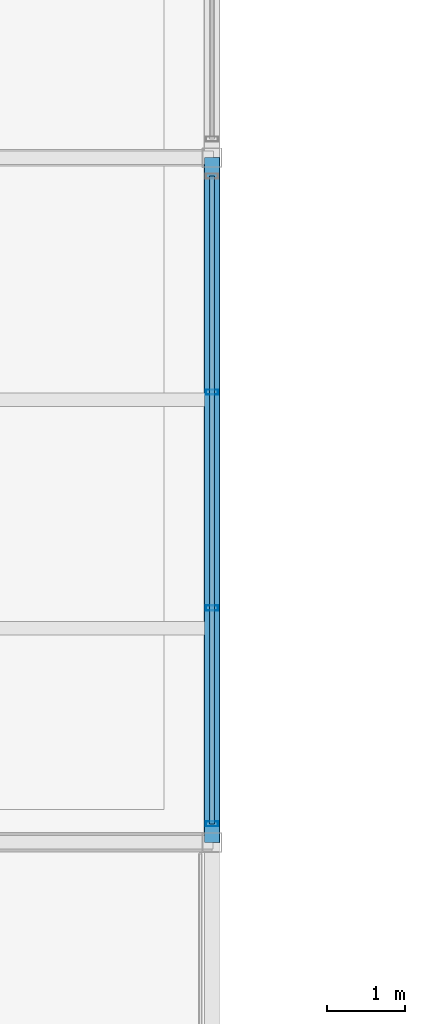
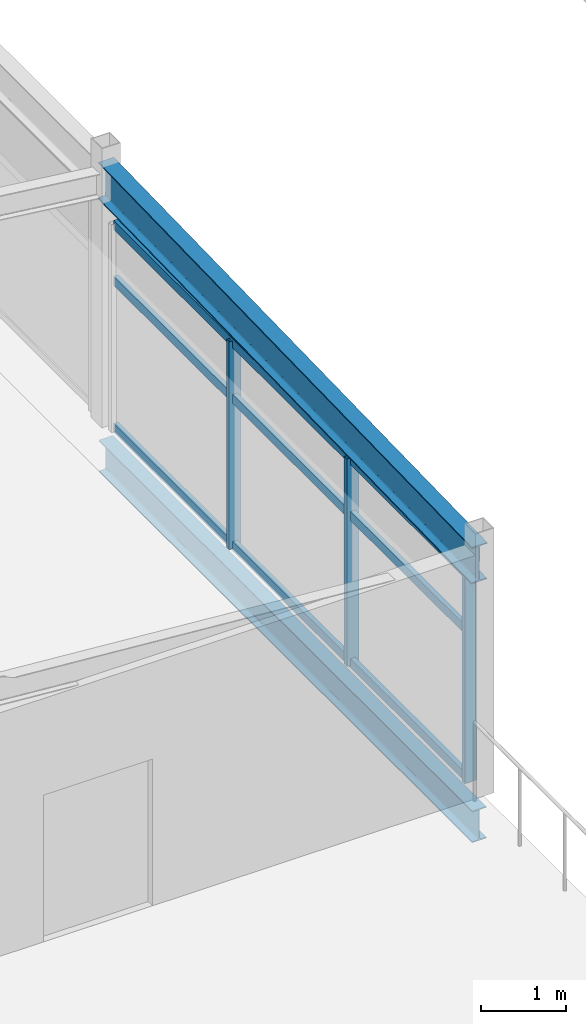
# One storey, part 23 of 114: 6 members, 2 beams, 1 element without a shape of its own.
"""IFC4 building model written with IfcOpenShell, lengths in metres."""

from ifc_helpers import new_model, si_unit, direction, frame, origin, origin_2d, place, context, subcontext, project, spatial, hollow_rectangle, i_section, extrude, material, layer, layer_set, material_profile, profile_set, type_object, element, aggregate, save


model = new_model("IFC4")

# Units and contexts
model_context = context("Model", 3, precision=1e-05, world=origin(), true_north=direction((0.0, 1.0)))
body_context = subcontext(model_context, "Body", "Model", "MODEL_VIEW")
ifc_project = project(units=[si_unit("LENGTHUNIT", "METRE"), si_unit("AREAUNIT", "SQUARE_METRE"), si_unit("VOLUMEUNIT", "CUBIC_METRE"), si_unit("PLANEANGLEUNIT", "RADIAN"), si_unit("MASSUNIT", "GRAM", prefix="KILO")], contexts=[model_context])

# Site, building, storey
site_placement = place(None, origin())
site = spatial("IfcSite", under=ifc_project, at=site_placement, CompositionType="ELEMENT")
building_placement = place(site_placement, origin())
building = spatial("IfcBuilding", under=site, at=building_placement, Name="Chalmorin Arch Market", CompositionType="ELEMENT")
storey_placement = place(building_placement, frame((0.0, 0.0, 9.60009765625)))
storey = spatial("IfcBuildingStorey", under=building, at=storey_placement, Name="L02", CompositionType="ELEMENT", Elevation=9.60009765625)

# Curtain wall, members
ifc_material_1 = material(Name="Aluminium 6063-T6", Category="aluminium")
ifc_layer = layer(ifc_material_1, 0.159912109375)
ifc_layer_set = layer_set([ifc_layer], Name="Aluminium 6063-T6")
curtain_wall_type = type_object("IfcCurtainWallType", Name="RiverfrontStorefrontCurtainWall-CW2-8330x2990", PredefinedType="NOTDEFINED", material=ifc_layer_set)
curtain_wall_placement = place(storey_placement, origin())
curtain_wall = element("IfcCurtainWall", 1, at=curtain_wall_placement, inside=storey, type_object=curtain_wall_type, Name="CW-02-100", PredefinedType="NOTDEFINED")
ifc_material_profile_1 = material_profile(ifc_material_1, hollow_rectangle(XDim=0.06494140625, YDim=0.159912109375, WallThickness=0.00390625, at=origin_2d()), Name="ALU65X160X4")
ifc_profile_set_1 = profile_set([ifc_material_profile_1], Name="Aluminium 6063-T6")
member_type_1 = type_object("IfcMemberType", Name="CurtainWallMullion-65x160", PredefinedType="MULLION", material=ifc_profile_set_1)
member_1_placement = place(storey_placement, frame((38.39990234375, 15.037109375, 0.0), z_axis=(0.0, 0.0, 1.0), x_axis=(0.0, 1.0, 0.0)))
member_1 = element("IfcMember", 2, at=member_1_placement, type_object=member_type_1, Name="ML-100-01", PredefinedType="MULLION", context=body_context, shape_type="SweptSolid", body=[
    extrude(hollow_rectangle(XDim=0.06494140625, YDim=0.159912109375, WallThickness=0.00390625, at=origin_2d()), origin(), (0.0, 0.0, 1.0), 2.9873046875),
])
member_2_placement = place(storey_placement, frame((38.39990234375, 17.812255859375, 0.0), z_axis=(0.0, 0.0, 1.0), x_axis=(0.0, 1.0, 0.0)))
member_2 = element("IfcMember", 3, at=member_2_placement, type_object=member_type_1, Name="ML-100-02", PredefinedType="MULLION", context=body_context, shape_type="SweptSolid", body=[
    extrude(hollow_rectangle(XDim=0.06494140625, YDim=0.159912109375, WallThickness=0.00390625, at=origin_2d()), origin(), (0.0, 0.0, 1.0), 2.9873046875),
])
member_3_placement = place(storey_placement, frame((38.39990234375, 20.587646484375, 0.0), z_axis=(0.0, 0.0, 1.0), x_axis=(0.0, 1.0, 0.0)))
member_3 = element("IfcMember", 4, at=member_3_placement, type_object=member_type_1, Name="ML-100-03", PredefinedType="MULLION", context=body_context, shape_type="SweptSolid", body=[
    extrude(hollow_rectangle(XDim=0.06494140625, YDim=0.159912109375, WallThickness=0.00390625, at=origin_2d()), origin(), (0.0, 0.0, 1.0), 2.9873046875),
])
ifc_material_profile_2 = material_profile(ifc_material_1, hollow_rectangle(XDim=0.06494140625, YDim=0.1298828125, WallThickness=0.00390625, at=origin_2d()), Name="ALU65X130X4")
ifc_profile_set_2 = profile_set([ifc_material_profile_2], Name="Aluminium 6063-T6")
member_type_2 = type_object("IfcMemberType", Name="CurtainWallTransom-65x130", PredefinedType="USERDEFINED", material=ifc_profile_set_2)
member_4_placement = place(storey_placement, frame((38.39990234375, 15.037109375, 0.034912109375), z_axis=(0.0, 1.0, 0.0), x_axis=(-1.0, 0.0, 0.0)))
member_4 = element("IfcMember", 5, at=member_4_placement, type_object=member_type_2, Name="TR-100-01", ObjectType="TRANSOM", PredefinedType="USERDEFINED", context=body_context, shape_type="SweptSolid", body=[
    extrude(hollow_rectangle(XDim=0.06494140625, YDim=0.1298828125, WallThickness=0.00390625, at=origin_2d()), origin(), (0.0, 0.0, 1.0), 8.325927734375),
])
member_5_placement = place(storey_placement, frame((38.39990234375, 15.037109375, 2.15087890625), z_axis=(0.0, 1.0, 0.0), x_axis=(-1.0, 0.0, 0.0)))
member_5 = element("IfcMember", 6, at=member_5_placement, type_object=member_type_2, Name="TR-100-02", ObjectType="TRANSOM", PredefinedType="USERDEFINED", context=body_context, shape_type="SweptSolid", body=[
    extrude(hollow_rectangle(XDim=0.06494140625, YDim=0.1298828125, WallThickness=0.00390625, at=origin_2d()), origin(), (0.0, 0.0, 1.0), 8.325927734375),
])
member_6_placement = place(storey_placement, frame((38.39990234375, 15.037109375, 2.952392578125), z_axis=(0.0, 1.0, 0.0), x_axis=(-1.0, 0.0, 0.0)))
member_6 = element("IfcMember", 7, at=member_6_placement, type_object=member_type_2, Name="TR-100-03", ObjectType="TRANSOM", PredefinedType="USERDEFINED", context=body_context, shape_type="SweptSolid", body=[
    extrude(hollow_rectangle(XDim=0.06494140625, YDim=0.1298828125, WallThickness=0.00390625, at=origin_2d()), origin(), (0.0, 0.0, 1.0), 8.325927734375),
])
aggregate(curtain_wall, [member_1, member_2, member_3, member_4, member_5, member_6])

# Beams
ifc_material_2 = material(Name="Steel A992 Grade 50", Category="steel")
ifc_material_profile_3 = material_profile(ifc_material_2, i_section(OverallWidth=0.19091796875, OverallDepth=0.45703125, WebThickness=0.009033203125, FlangeThickness=0.014404296875, FilletRadius=0.02001953125, at=origin_2d()), Name="W18X50")
ifc_profile_set_3 = profile_set([ifc_material_profile_3], Name="Steel A992 Grade 50")
beam_type_1 = type_object("IfcBeamType", Name="PerimeterSpandrelBeam-W18X50", PredefinedType="SPANDREL", material=ifc_profile_set_3)
beam_1_placement = place(storey_placement, frame((38.39990234375, 14.800048828125, -0.490478515625), z_axis=(0.0, 1.0, 0.0), x_axis=(-1.0, 0.0, 0.0)))
element("IfcBeam", 8, at=beam_1_placement, inside=storey, type_object=beam_type_1, Name="SP-W18-1176", PredefinedType="SPANDREL", context=body_context, shape_type="SweptSolid", body=[
    extrude(i_section(OverallWidth=0.19091796875, OverallDepth=0.45703125, WebThickness=0.009033203125, FlangeThickness=0.014404296875, FilletRadius=0.02001953125, at=origin_2d()), origin(), (0.0, 0.0, 1.0), 8.800048828125),
])
ifc_material_profile_4 = material_profile(ifc_material_2, i_section(OverallWidth=0.208984375, OverallDepth=0.532958984375, WebThickness=0.01025390625, FlangeThickness=0.015625, FilletRadius=0.02197265625, at=origin_2d()), Name="W21X62")
ifc_profile_set_4 = profile_set([ifc_material_profile_4], Name="Steel A992 Grade 50")
beam_type_2 = type_object("IfcBeamType", Name="PrimarySteelGirder-W21X62", PredefinedType="BEAM", material=ifc_profile_set_4)
beam_2_placement = place(storey_placement, frame((38.39990234375, 14.800048828125, 3.268798828125), z_axis=(0.0, 0.999731145488, 0.023186995079), x_axis=(-1.0, 0.0, 0.0)))
element("IfcBeam", 9, at=beam_2_placement, inside=storey, type_object=beam_type_2, Name="BG-W21B-1541", PredefinedType="BEAM", context=body_context, shape_type="SweptSolid", body=[
    extrude(i_section(OverallWidth=0.208984375, OverallDepth=0.532958984375, WebThickness=0.01025390625, FlangeThickness=0.015625, FilletRadius=0.02197265625, at=origin_2d()), origin(), (0.0, 0.0, 1.0), 8.802490234375),
])

save(model, "model.ifc")
